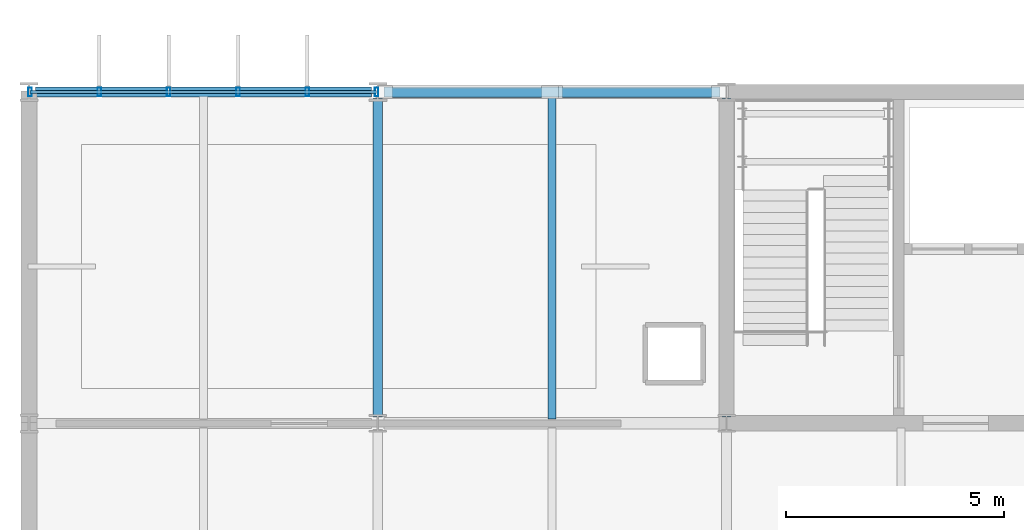
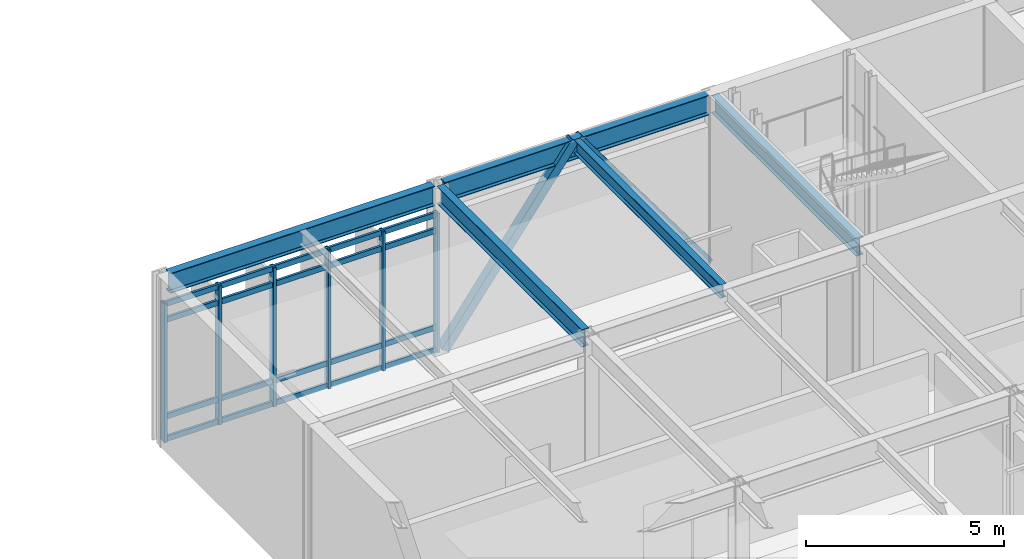
# One storey, part 25 of 94: 12 members, 5 beams, 1 element without a shape of its own.
"""IFC4 building model written with IfcOpenShell, lengths in metres."""

from ifc_helpers import new_model, si_unit, direction, frame, origin, origin_2d, place, context, subcontext, project, spatial, hollow_rectangle, i_section, extrude, material, material_profile, profile_set, type_object, element, aggregate, save


model = new_model("IFC4")

# Units and contexts
model_context = context("Model", 3, precision=1e-05, world=origin(), true_north=direction((0.0, 1.0)))
body_context = subcontext(model_context, "Body", "Model", "MODEL_VIEW")
ifc_project = project(units=[si_unit("LENGTHUNIT", "METRE"), si_unit("AREAUNIT", "SQUARE_METRE"), si_unit("VOLUMEUNIT", "CUBIC_METRE"), si_unit("PLANEANGLEUNIT", "RADIAN"), si_unit("MASSUNIT", "GRAM", prefix="KILO")], contexts=[model_context])

# Site, building, storey
site_placement = place(None, origin())
site = spatial("IfcSite", under=ifc_project, at=site_placement, CompositionType="ELEMENT")
building_placement = place(site_placement, origin())
building = spatial("IfcBuilding", under=site, at=building_placement, Name="Zulena Civic Courthouse", CompositionType="ELEMENT")
storey_placement = place(building_placement, frame((0.0, 0.0, 5.39990234375)))
storey = spatial("IfcBuildingStorey", under=building, at=storey_placement, Name="L01", CompositionType="ELEMENT", Elevation=5.39990234375)

# Members
ifc_material_1 = material(Name="Steel ASTM A500 Grade C", Category="steel")
ifc_material_profile_1 = material_profile(ifc_material_1, hollow_rectangle(XDim=0.25390625, YDim=0.25390625, WallThickness=0.01171875, at=origin_2d()), Name="HSS10X10X1/2")
ifc_profile_set_1 = profile_set([ifc_material_profile_1], Name="Steel ASTM A500 Grade C")
member_type_1 = type_object("IfcMemberType", Name="Brace_HSS10", PredefinedType="BRACE", material=ifc_profile_set_1)
for number, where, z_axis, x_axis, name in (
    (1, (12.14990234375, 22.800048828125, 0.010009765625), (0.593725886298, 0.0, 0.804667367264), (0.0, 1.0, 0.0), "brace:V2:L01:0:0"),
    (2, (19.85009765625, 22.800048828125, 0.010009765625), (-0.593725886298, 0.0, 0.804667367264), (0.0, -1.0, 0.0), "brace:V2:L01:0:1"),
):
    element("IfcMember", number, at=place(storey_placement, frame(where, z_axis=z_axis, x_axis=x_axis)), inside=storey, type_object=member_type_1, Name=name, PredefinedType="BRACE", context=body_context, shape_type="SweptSolid", body=[
        extrude(hollow_rectangle(XDim=0.25390625, YDim=0.25390625, WallThickness=0.01171875, at=origin_2d()), origin(), (0.0, 0.0, 1.0), 6.400390625),
    ])

# Curtain wall, members
ifc_material_2 = material(Name="Double-silver low-E laminated solar-control glass", Category="glass")
curtain_wall_type = type_object("IfcCurtainWallType", Name="CW_7952x4280", PredefinedType="USERDEFINED", material=ifc_material_2)
curtain_wall_placement = place(storey_placement, origin())
curtain_wall = element("IfcCurtainWall", 3, at=curtain_wall_placement, inside=storey, type_object=curtain_wall_type, Name="cw:V2:L01:1:0", ObjectType="UNITISED CURTAIN WALL", PredefinedType="USERDEFINED")
ifc_material_3 = material(Name="Bronze anodised thermally broken aluminium AA6063-T6", Category="aluminium")
ifc_material_profile_2 = material_profile(ifc_material_3, hollow_rectangle(XDim=0.080078125, YDim=0.199951171875, WallThickness=0.0048828125, at=origin_2d()), Name="CWM200X80X5")
ifc_profile_set_2 = profile_set([ifc_material_profile_2], Name="Bronze anodised thermally broken aluminium AA6063-T6")
member_type_2 = type_object("IfcMemberType", Name="CWMullion_200x80", PredefinedType="MULLION", material=ifc_profile_set_2)
member_1_placement = place(storey_placement, frame((4.02392578125, 22.800048828125, 0.0), z_axis=(0.0, 0.0, 1.0), x_axis=(1.0, 0.0, 0.0)))
member_1 = element("IfcMember", 4, at=member_1_placement, type_object=member_type_2, Name="cw:V2:L01:1:0:mull:0", PredefinedType="MULLION", context=body_context, shape_type="SweptSolid", body=[
    extrude(hollow_rectangle(XDim=0.080078125, YDim=0.199951171875, WallThickness=0.0048828125, at=origin_2d()), origin(), (0.0, 0.0, 1.0), 4.280029296875),
])
member_2_placement = place(storey_placement, frame((5.614501953125, 22.800048828125, 0.0), z_axis=(0.0, 0.0, 1.0), x_axis=(1.0, 0.0, 0.0)))
member_2 = element("IfcMember", 5, at=member_2_placement, type_object=member_type_2, Name="cw:V2:L01:1:0:mull:1", PredefinedType="MULLION", context=body_context, shape_type="SweptSolid", body=[
    extrude(hollow_rectangle(XDim=0.080078125, YDim=0.199951171875, WallThickness=0.0048828125, at=origin_2d()), origin(), (0.0, 0.0, 1.0), 4.280029296875),
])
member_3_placement = place(storey_placement, frame((7.204833984375, 22.800048828125, 0.0), z_axis=(0.0, 0.0, 1.0), x_axis=(1.0, 0.0, 0.0)))
member_3 = element("IfcMember", 6, at=member_3_placement, type_object=member_type_2, Name="cw:V2:L01:1:0:mull:2", PredefinedType="MULLION", context=body_context, shape_type="SweptSolid", body=[
    extrude(hollow_rectangle(XDim=0.080078125, YDim=0.199951171875, WallThickness=0.0048828125, at=origin_2d()), origin(), (0.0, 0.0, 1.0), 4.280029296875),
])
member_4_placement = place(storey_placement, frame((8.795166015625, 22.800048828125, 0.0), z_axis=(0.0, 0.0, 1.0), x_axis=(1.0, 0.0, 0.0)))
member_4 = element("IfcMember", 7, at=member_4_placement, type_object=member_type_2, Name="cw:V2:L01:1:0:mull:3", PredefinedType="MULLION", context=body_context, shape_type="SweptSolid", body=[
    extrude(hollow_rectangle(XDim=0.080078125, YDim=0.199951171875, WallThickness=0.0048828125, at=origin_2d()), origin(), (0.0, 0.0, 1.0), 4.280029296875),
])
member_5_placement = place(storey_placement, frame((10.385498046875, 22.800048828125, 0.0), z_axis=(0.0, 0.0, 1.0), x_axis=(1.0, 0.0, 0.0)))
member_5 = element("IfcMember", 8, at=member_5_placement, type_object=member_type_2, Name="cw:V2:L01:1:0:mull:4", PredefinedType="MULLION", context=body_context, shape_type="SweptSolid", body=[
    extrude(hollow_rectangle(XDim=0.080078125, YDim=0.199951171875, WallThickness=0.0048828125, at=origin_2d()), origin(), (0.0, 0.0, 1.0), 4.280029296875),
])
member_6_placement = place(storey_placement, frame((11.97607421875, 22.800048828125, 0.0), z_axis=(0.0, 0.0, 1.0), x_axis=(1.0, 0.0, 0.0)))
member_6 = element("IfcMember", 9, at=member_6_placement, type_object=member_type_2, Name="cw:V2:L01:1:0:mull:5", PredefinedType="MULLION", context=body_context, shape_type="SweptSolid", body=[
    extrude(hollow_rectangle(XDim=0.080078125, YDim=0.199951171875, WallThickness=0.0048828125, at=origin_2d()), origin(), (0.0, 0.0, 1.0), 4.280029296875),
])
ifc_material_profile_3 = material_profile(ifc_material_3, hollow_rectangle(XDim=0.070068359375, YDim=0.1650390625, WallThickness=0.00390625, at=origin_2d()), Name="CWT165X70X4")
ifc_profile_set_3 = profile_set([ifc_material_profile_3], Name="Bronze anodised thermally broken aluminium AA6063-T6")
member_type_3 = type_object("IfcMemberType", Name="CWTransom_165x70", PredefinedType="USERDEFINED", material=ifc_profile_set_3)
member_7_placement = place(storey_placement, frame((4.02392578125, 22.800048828125, 0.06005859375), z_axis=(1.0, 0.0, 0.0), x_axis=(0.0, 1.0, 0.0)))
member_7 = element("IfcMember", 10, at=member_7_placement, type_object=member_type_3, Name="cw:V2:L01:1:0:tran:0", ObjectType="TRANSOM", PredefinedType="USERDEFINED", context=body_context, shape_type="SweptSolid", body=[
    extrude(hollow_rectangle(XDim=0.070068359375, YDim=0.1650390625, WallThickness=0.00390625, at=origin_2d()), origin(), (0.0, 0.0, 1.0), 7.9521484375),
])
member_8_placement = place(storey_placement, frame((4.02392578125, 22.800048828125, 0.75), z_axis=(1.0, 0.0, 0.0), x_axis=(0.0, 1.0, 0.0)))
member_8 = element("IfcMember", 11, at=member_8_placement, type_object=member_type_3, Name="cw:V2:L01:1:0:tran:1", ObjectType="TRANSOM", PredefinedType="USERDEFINED", context=body_context, shape_type="SweptSolid", body=[
    extrude(hollow_rectangle(XDim=0.070068359375, YDim=0.1650390625, WallThickness=0.00390625, at=origin_2d()), origin(), (0.0, 0.0, 1.0), 7.9521484375),
])
member_9_placement = place(storey_placement, frame((4.02392578125, 22.800048828125, 3.72998046875), z_axis=(1.0, 0.0, 0.0), x_axis=(0.0, 1.0, 0.0)))
member_9 = element("IfcMember", 12, at=member_9_placement, type_object=member_type_3, Name="cw:V2:L01:1:0:tran:2", ObjectType="TRANSOM", PredefinedType="USERDEFINED", context=body_context, shape_type="SweptSolid", body=[
    extrude(hollow_rectangle(XDim=0.070068359375, YDim=0.1650390625, WallThickness=0.00390625, at=origin_2d()), origin(), (0.0, 0.0, 1.0), 7.9521484375),
])
member_10_placement = place(storey_placement, frame((4.02392578125, 22.800048828125, 4.22021484375), z_axis=(1.0, 0.0, 0.0), x_axis=(0.0, 1.0, 0.0)))
member_10 = element("IfcMember", 13, at=member_10_placement, type_object=member_type_3, Name="cw:V2:L01:1:0:tran:3", ObjectType="TRANSOM", PredefinedType="USERDEFINED", context=body_context, shape_type="SweptSolid", body=[
    extrude(hollow_rectangle(XDim=0.070068359375, YDim=0.1650390625, WallThickness=0.00390625, at=origin_2d()), origin(), (0.0, 0.0, 1.0), 7.9521484375),
])
aggregate(curtain_wall, [member_1, member_2, member_3, member_4, member_5, member_6, member_7, member_8, member_9, member_10])

# Beams
ifc_material_4 = material(Name="Steel ASTM A992 Grade 50", Category="steel")
ifc_material_profile_4 = material_profile(ifc_material_4, i_section(OverallWidth=0.180908203125, OverallDepth=0.4169921875, WebThickness=0.010986328125, FlangeThickness=0.018310546875, FilletRadius=0.01025390625, at=origin_2d()), Name="W16X57")
ifc_profile_set_4 = profile_set([ifc_material_profile_4], Name="Steel ASTM A992 Grade 50")
beam_type_1 = type_object("IfcBeamType", Name="Joist_W16X57", PredefinedType="JOIST", material=ifc_profile_set_4)
beam_placement = place(storey_placement, frame((16.0, 15.304931640625, 4.9765625), z_axis=(0.0, 1.0, 0.0), x_axis=(-1.0, 0.0, 0.0)))
element("IfcBeam", 14, at=beam_placement, inside=storey, type_object=beam_type_1, Name="joist:V2:L01:16.00:15.2_22.8", PredefinedType="JOIST", context=body_context, shape_type="SweptSolid", body=[
    extrude(i_section(OverallWidth=0.180908203125, OverallDepth=0.4169921875, WebThickness=0.010986328125, FlangeThickness=0.018310546875, FilletRadius=0.01025390625, at=origin_2d()), origin(), (0.0, 0.0, 1.0), 7.39013671875),
])
ifc_material_profile_5 = material_profile(ifc_material_4, i_section(OverallWidth=0.2099609375, OverallDepth=0.537109375, WebThickness=0.010986328125, FlangeThickness=0.017333984375, FilletRadius=0.0126953125, at=origin_2d()), Name="W21X68")
ifc_profile_set_5 = profile_set([ifc_material_profile_5], Name="Steel ASTM A992 Grade 50")
beam_type_2 = type_object("IfcBeamType", Name="Spandrel_W21X68", PredefinedType="SPANDREL", material=ifc_profile_set_5)
for number, where, z_axis, x_axis, name in (
    (15, (12.0, 15.344970703125, 4.91650390625), (0.0, 1.0, 0.0), (-1.0, 0.0, 0.0), "beam:Y:V2:L01:12.0:15.2_22.8"),
    (16, (20.0, 15.344970703125, 4.91650390625), (0.0, 1.0, 0.0), (-1.0, 0.0, 0.0), "beam:Y:V2:L01:20.0:15.2_22.8"),
):
    element("IfcBeam", number, at=place(storey_placement, frame(where, z_axis=z_axis, x_axis=x_axis)), inside=storey, type_object=beam_type_2, Name=name, PredefinedType="SPANDREL", context=body_context, shape_type="SweptSolid", body=[
        extrude(i_section(OverallWidth=0.2099609375, OverallDepth=0.537109375, WebThickness=0.010986328125, FlangeThickness=0.017333984375, FilletRadius=0.0126953125, at=origin_2d()), origin(), (0.0, 0.0, 1.0), 7.31005859375),
    ])
ifc_material_profile_6 = material_profile(ifc_material_4, i_section(OverallWidth=0.22998046875, OverallDepth=0.616943359375, WebThickness=0.01318359375, FlangeThickness=0.022216796875, FilletRadius=0.0126953125, at=origin_2d()), Name="W24X94")
ifc_profile_set_6 = profile_set([ifc_material_profile_6], Name="Steel ASTM A992 Grade 50")
beam_type_3 = type_object("IfcBeamType", Name="Spandrel_W24X94", PredefinedType="SPANDREL", material=ifc_profile_set_6)
for number, where, z_axis, x_axis, name in (
    (17, (4.14501953125, 22.800048828125, 4.876708984375), (1.0, 0.0, 0.0), (0.0, 1.0, 0.0), "beam:X:V2:L01:22.8:4.0_12.0"),
    (18, (12.14501953125, 22.800048828125, 4.876708984375), (1.0, 0.0, 0.0), (0.0, 1.0, 0.0), "beam:X:V2:L01:22.8:12.0_20.0"),
):
    element("IfcBeam", number, at=place(storey_placement, frame(where, z_axis=z_axis, x_axis=x_axis)), inside=storey, type_object=beam_type_3, Name=name, PredefinedType="SPANDREL", context=body_context, shape_type="SweptSolid", body=[
        extrude(i_section(OverallWidth=0.22998046875, OverallDepth=0.616943359375, WebThickness=0.01318359375, FlangeThickness=0.022216796875, FilletRadius=0.0126953125, at=origin_2d()), origin(), (0.0, 0.0, 1.0), 7.7099609375),
    ])

save(model, "model.ifc")
